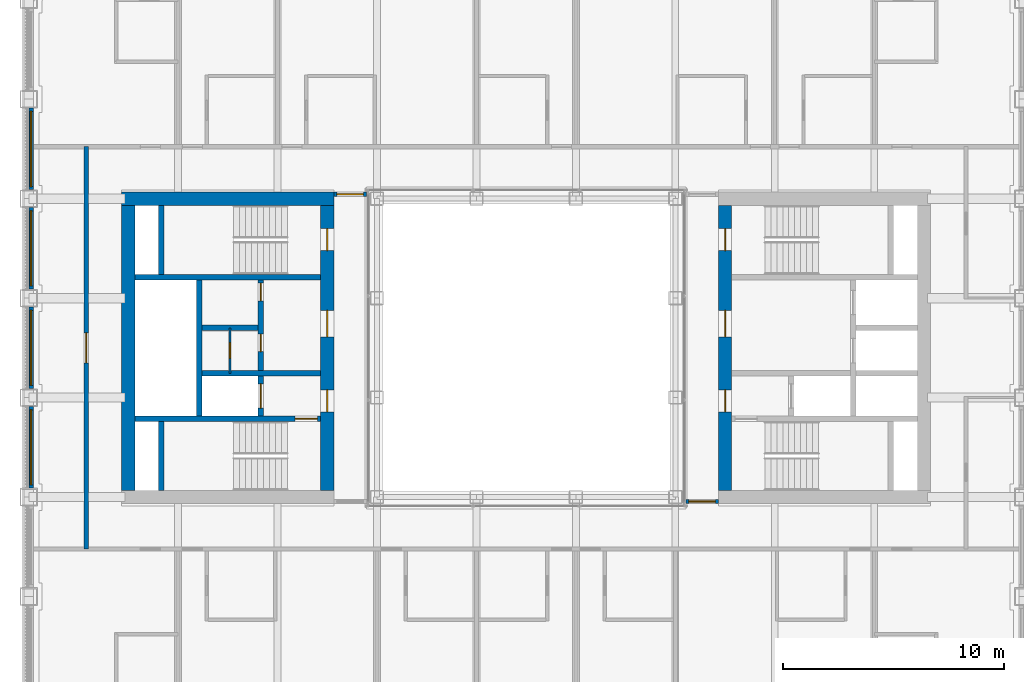
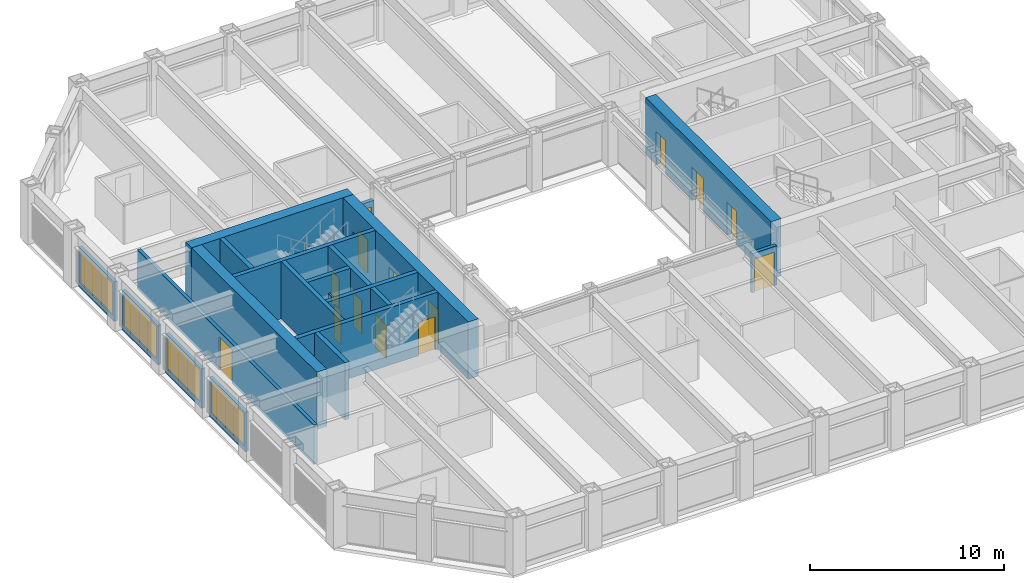
# One storey, part 11 of 17: 20 walls, 14 doors, 4 windows, 18 openings.
"""IFC4 building model written with IfcOpenShell, lengths in metres."""

from ifc_helpers import new_model, si_unit, direction, frame, frame_2d, origin, place, context, subcontext, project, spatial, rectangle, extrude, material, layer, layer_set, type_object, element, fill, save


model = new_model("IFC4")

# Units and contexts
model_context = context("Model", 3, precision=1e-05, world=origin(), true_north=direction((0.0, 1.0)))
body_context = subcontext(model_context, "Body", "Model", "MODEL_VIEW")
ifc_project = project(units=[si_unit("LENGTHUNIT", "METRE"), si_unit("AREAUNIT", "SQUARE_METRE"), si_unit("VOLUMEUNIT", "CUBIC_METRE"), si_unit("PLANEANGLEUNIT", "RADIAN"), si_unit("MASSUNIT", "GRAM", prefix="KILO")], contexts=[model_context])

# Site, building, storey
site_placement = place(None, origin())
site = spatial("IfcSite", under=ifc_project, at=site_placement, CompositionType="ELEMENT")
building_placement = place(site_placement, origin())
building = spatial("IfcBuilding", under=site, at=building_placement, Name="Msasa Ring Tower", CompositionType="ELEMENT")
storey_placement = place(building_placement, frame((0.0, 0.0, 158.0)))
storey = spatial("IfcBuildingStorey", under=building, at=storey_placement, Name="L41", CompositionType="ELEMENT", Elevation=158.0)

# Wall, openings, doors
ifc_material_1 = material(Name="Concrete C60/75", Category="concrete")
ifc_layer_1 = layer(ifc_material_1, 0.60009765625)
ifc_layer_set_1 = layer_set([ifc_layer_1], Name="CW2 CORE WALL 600")
wall_type_1 = type_object("IfcWallType", Name="CW2 CORE WALL 600", PredefinedType="SHEAR", material=ifc_layer_set_1)
wall_1_placement = place(storey_placement, frame((9.0, -6.449951171875, 0.0), z_axis=(0.0, 0.0, 1.0), x_axis=(0.0, 1.0, 0.0)))
wall_1 = element("IfcWall", 1, at=wall_1_placement, inside=storey, type_object=wall_type_1, Name="E core wall W L41", PredefinedType="SHEAR", context=body_context, shape_type="SweptSolid", body=[
    extrude(rectangle(XDim=12.89990234375, YDim=0.60009765625, at=frame_2d((6.449951171875, 0.0))), origin(), (0.0, 0.0, 1.0), 3.60009765625),
])
opening_1_placement = place(wall_1_placement, frame((3.550048828125, 0.0, 0.0)))
opening_1 = element("IfcOpeningElement", 2, at=opening_1_placement, cuts=wall_1, Name="Opening HD-027", PredefinedType="OPENING", context=body_context, shape_type="SweptSolid", body=[
    extrude(rectangle(XDim=1.0, YDim=2.10009765625, at=frame_2d((0.5, 1.050048828125))), frame((0.0, 0.31005859375, 0.0), z_axis=(0.0, -1.0, 0.0), x_axis=(1.0, 0.0, 0.0)), (0.0, 0.0, 1.0), 0.6201171875),
])
opening_2_placement = place(wall_1_placement, frame((6.949951171875, 0.0, 0.0)))
opening_2 = element("IfcOpeningElement", 3, at=opening_2_placement, cuts=wall_1, Name="Opening HD-022", PredefinedType="OPENING", context=body_context, shape_type="SweptSolid", body=[
    extrude(rectangle(XDim=1.199951171875, YDim=2.10009765625, at=frame_2d((0.60009765625, 1.050048828125))), frame((0.0, 0.31005859375, 0.0), z_axis=(0.0, -1.0, 0.0), x_axis=(1.0, 0.0, 0.0)), (0.0, 0.0, 1.0), 0.6201171875),
])
opening_3_placement = place(wall_1_placement, frame((10.85009765625, 0.0, 0.0)))
opening_3 = element("IfcOpeningElement", 4, at=opening_3_placement, cuts=wall_1, Name="Opening HD-019", PredefinedType="OPENING", context=body_context, shape_type="SweptSolid", body=[
    extrude(rectangle(XDim=1.0, YDim=2.10009765625, at=frame_2d((0.5, 1.050048828125))), frame((0.0, 0.31005859375, 0.0), z_axis=(0.0, -1.0, 0.0), x_axis=(1.0, 0.0, 0.0)), (0.0, 0.0, 1.0), 0.6201171875),
])
ifc_material_2 = material(Name="Timber door leaf in a steel frame", Category="steel")
door_type_1 = type_object("IfcDoorType", Name="D4 LOBBY DOOR 1000x2100", OperationType="SINGLE_SWING_LEFT", PredefinedType="DOOR", material=ifc_material_2)
door_1_placement = place(opening_1_placement, origin())
door_1 = element("IfcDoor", 5, at=door_1_placement, inside=storey, type_object=door_type_1, Name="Door L41-EFFL", OperationType="SINGLE_SWING_LEFT", OverallHeight=2.10009765625, OverallWidth=1.0, PredefinedType="DOOR", context=body_context, shape_type="SweptSolid", body=[
    extrude(rectangle(XDim=1.0, YDim=2.10009765625, at=frame_2d((0.5, 1.050048828125))), frame((0.0, 0.02490234375, 0.0), z_axis=(0.0, -1.0, 0.0), x_axis=(1.0, 0.0, 0.0)), (0.0, 0.0, 1.0), 0.050048828125),
])
fill(opening_1, door_1)
ifc_material_3 = material(Name="Timber door leaf in a steel frame", Category="steel")
door_type_2 = type_object("IfcDoorType", Name="D5 WIDE LOBBY DOOR 1200x2100", OperationType="SINGLE_SWING_LEFT", PredefinedType="DOOR", material=ifc_material_3)
door_2_placement = place(opening_2_placement, origin())
door_2 = element("IfcDoor", 6, at=door_2_placement, inside=storey, type_object=door_type_2, Name="Door L41-ELL", OperationType="SINGLE_SWING_RIGHT", OverallHeight=2.10009765625, OverallWidth=1.199951171875, PredefinedType="DOOR", context=body_context, shape_type="SweptSolid", body=[
    extrude(rectangle(XDim=1.199951171875, YDim=2.10009765625, at=frame_2d((0.60009765625, 1.050048828125))), frame((0.0, 0.02490234375, 0.0), z_axis=(0.0, -1.0, 0.0), x_axis=(1.0, 0.0, 0.0)), (0.0, 0.0, 1.0), 0.050048828125),
])
fill(opening_2, door_2)
ifc_material_4 = material(Name="Timber door leaf in a steel frame", Category="steel")
door_type_3 = type_object("IfcDoorType", Name="D6 STAIR DOOR 1000x2100", OperationType="SINGLE_SWING_LEFT", PredefinedType="DOOR", material=ifc_material_4)
door_3_placement = place(opening_3_placement, origin())
door_3 = element("IfcDoor", 7, at=door_3_placement, inside=storey, type_object=door_type_3, Name="Door L41-ESTB", OperationType="SINGLE_SWING_RIGHT", OverallHeight=2.10009765625, OverallWidth=1.0, PredefinedType="DOOR", context=body_context, shape_type="SweptSolid", body=[
    extrude(rectangle(XDim=1.0, YDim=2.10009765625, at=frame_2d((0.5, 1.050048828125))), frame((0.0, 0.02490234375, 0.0), z_axis=(0.0, -1.0, 0.0), x_axis=(1.0, 0.0, 0.0)), (0.0, 0.0, 1.0), 0.050048828125),
])
fill(opening_3, door_3)

# Wall
wall_2_placement = place(storey_placement, frame((-8.699951171875, 6.75, 0.0), z_axis=(0.0, 0.0, 1.0), x_axis=(-1.0, 0.0, 0.0)))
element("IfcWall", 8, at=wall_2_placement, inside=storey, type_object=wall_type_1, Name="W core wall N L41", PredefinedType="SHEAR", context=body_context, shape_type="SweptSolid", body=[
    extrude(rectangle(XDim=9.60009765625, YDim=0.60009765625, at=frame_2d((4.800048828125, 0.0))), origin(), (0.0, 0.0, 1.0), 3.60009765625),
])

# Wall, openings, doors
wall_3_placement = place(storey_placement, frame((-9.0, -6.449951171875, 0.0), z_axis=(0.0, 0.0, 1.0), x_axis=(0.0, 1.0, 0.0)))
wall_3 = element("IfcWall", 9, at=wall_3_placement, inside=storey, type_object=wall_type_1, Name="W core wall W L41", PredefinedType="SHEAR", context=body_context, shape_type="SweptSolid", body=[
    extrude(rectangle(XDim=12.89990234375, YDim=0.60009765625, at=frame_2d((6.449951171875, 0.0))), origin(), (0.0, 0.0, 1.0), 3.60009765625),
])
opening_4_placement = place(wall_3_placement, frame((3.550048828125, 0.0, 0.0)))
opening_4 = element("IfcOpeningElement", 10, at=opening_4_placement, cuts=wall_3, Name="Opening HD-026", PredefinedType="OPENING", context=body_context, shape_type="SweptSolid", body=[
    extrude(rectangle(XDim=1.0, YDim=2.10009765625, at=frame_2d((0.5, 1.050048828125))), frame((0.0, 0.31005859375, 0.0), z_axis=(0.0, -1.0, 0.0), x_axis=(1.0, 0.0, 0.0)), (0.0, 0.0, 1.0), 0.6201171875),
])
opening_5_placement = place(wall_3_placement, frame((6.949951171875, 0.0, 0.0)))
opening_5 = element("IfcOpeningElement", 11, at=opening_5_placement, cuts=wall_3, Name="Opening HD-021", PredefinedType="OPENING", context=body_context, shape_type="SweptSolid", body=[
    extrude(rectangle(XDim=1.199951171875, YDim=2.10009765625, at=frame_2d((0.60009765625, 1.050048828125))), frame((0.0, 0.31005859375, 0.0), z_axis=(0.0, -1.0, 0.0), x_axis=(1.0, 0.0, 0.0)), (0.0, 0.0, 1.0), 0.6201171875),
])
opening_6_placement = place(wall_3_placement, frame((10.85009765625, 0.0, 0.0)))
opening_6 = element("IfcOpeningElement", 12, at=opening_6_placement, cuts=wall_3, Name="Opening HD-018", PredefinedType="OPENING", context=body_context, shape_type="SweptSolid", body=[
    extrude(rectangle(XDim=1.0, YDim=2.10009765625, at=frame_2d((0.5, 1.050048828125))), frame((0.0, 0.31005859375, 0.0), z_axis=(0.0, -1.0, 0.0), x_axis=(1.0, 0.0, 0.0)), (0.0, 0.0, 1.0), 0.6201171875),
])
ifc_material_5 = material(Name="Timber door leaf in a steel frame", Category="steel")
door_type_4 = type_object("IfcDoorType", Name="D26 WIDE SERVICE ROOM DOOR 1200x2100", OperationType="SINGLE_SWING_LEFT", PredefinedType="DOOR", material=ifc_material_5)
door_4_placement = place(opening_5_placement, origin())
door_4 = element("IfcDoor", 13, at=door_4_placement, inside=storey, type_object=door_type_4, Name="Door L41-WCR", OperationType="SINGLE_SWING_RIGHT", OverallHeight=2.10009765625, OverallWidth=1.199951171875, PredefinedType="DOOR", context=body_context, shape_type="SweptSolid", body=[
    extrude(rectangle(XDim=1.199951171875, YDim=2.10009765625, at=frame_2d((0.60009765625, 1.050048828125))), frame((0.0, 0.02490234375, 0.0), z_axis=(0.0, -1.0, 0.0), x_axis=(1.0, 0.0, 0.0)), (0.0, 0.0, 1.0), 0.050048828125),
])
fill(opening_5, door_4)
door_5_placement = place(opening_4_placement, origin())
door_5 = element("IfcDoor", 14, at=door_5_placement, inside=storey, type_object=door_type_1, Name="Door L41-WFFL", OperationType="SINGLE_SWING_LEFT", OverallHeight=2.10009765625, OverallWidth=1.0, PredefinedType="DOOR", context=body_context, shape_type="SweptSolid", body=[
    extrude(rectangle(XDim=1.0, YDim=2.10009765625, at=frame_2d((0.5, 1.050048828125))), frame((0.0, 0.02490234375, 0.0), z_axis=(0.0, -1.0, 0.0), x_axis=(1.0, 0.0, 0.0)), (0.0, 0.0, 1.0), 0.050048828125),
])
fill(opening_4, door_5)
door_6_placement = place(opening_6_placement, origin())
door_6 = element("IfcDoor", 15, at=door_6_placement, inside=storey, type_object=door_type_3, Name="Door L41-WSTB", OperationType="SINGLE_SWING_RIGHT", OverallHeight=2.10009765625, OverallWidth=1.0, PredefinedType="DOOR", context=body_context, shape_type="SweptSolid", body=[
    extrude(rectangle(XDim=1.0, YDim=2.10009765625, at=frame_2d((0.5, 1.050048828125))), frame((0.0, 0.02490234375, 0.0), z_axis=(0.0, -1.0, 0.0), x_axis=(1.0, 0.0, 0.0)), (0.0, 0.0, 1.0), 0.050048828125),
])
fill(opening_6, door_6)

# Wall
wall_4_placement = place(storey_placement, frame((-18.0, -6.449951171875, 0.0), z_axis=(0.0, 0.0, 1.0), x_axis=(0.0, 1.0, 0.0)))
element("IfcWall", 16, at=wall_4_placement, inside=storey, type_object=wall_type_1, Name="W core wall E L41", PredefinedType="SHEAR", context=body_context, shape_type="SweptSolid", body=[
    extrude(rectangle(XDim=12.89990234375, YDim=0.60009765625, at=frame_2d((6.449951171875, 0.0))), origin(), (0.0, 0.0, 1.0), 3.60009765625),
])

# Wall, opening, door
ifc_material_6 = material(Name="Concrete C60/75", Category="concrete")
ifc_layer_2 = layer(ifc_material_6, 0.25)
ifc_layer_set_2 = layer_set([ifc_layer_2], Name="CW4 CORE INNER WALL 250")
wall_type_2 = type_object("IfcWallType", Name="CW4 CORE INNER WALL 250", PredefinedType="SHEAR", material=ifc_layer_set_2)
wall_5_placement = place(storey_placement, frame((-9.300048828125, -3.199951171875, 0.0), z_axis=(0.0, 0.0, 1.0), x_axis=(-1.0, 0.0, 0.0)))
wall_5 = element("IfcWall", 17, at=wall_5_placement, inside=storey, type_object=wall_type_2, Name="W core wall STAIRA L41", PredefinedType="SHEAR", context=body_context, shape_type="SweptSolid", body=[
    extrude(rectangle(XDim=8.39990234375, YDim=0.25, at=frame_2d((4.199951171875, 0.0))), origin(), (0.0, 0.0, 1.0), 3.60009765625),
])
opening_7_placement = place(wall_5_placement, frame((0.14990234375, 0.0, 0.0)))
opening_7 = element("IfcOpeningElement", 18, at=opening_7_placement, cuts=wall_5, Name="Opening HD-028", PredefinedType="OPENING", context=body_context, shape_type="SweptSolid", body=[
    extrude(rectangle(XDim=1.0, YDim=2.10009765625, at=frame_2d((0.5, 1.050048828125))), frame((0.0, 0.135009765625, 0.0), z_axis=(0.0, -1.0, 0.0), x_axis=(1.0, 0.0, 0.0)), (0.0, 0.0, 1.0), 0.27001953125),
])
door_7_placement = place(opening_7_placement, origin())
door_7 = element("IfcDoor", 19, at=door_7_placement, inside=storey, type_object=door_type_3, Name="Door L41-WSTA", OperationType="SINGLE_SWING_LEFT", OverallHeight=2.10009765625, OverallWidth=1.0, PredefinedType="DOOR", context=body_context, shape_type="SweptSolid", body=[
    extrude(rectangle(XDim=1.0, YDim=2.10009765625, at=frame_2d((0.5, 1.050048828125))), frame((0.0, 0.02490234375, 0.0), z_axis=(0.0, -1.0, 0.0), x_axis=(1.0, 0.0, 0.0)), (0.0, 0.0, 1.0), 0.050048828125),
])
fill(opening_7, door_7)

# Walls
wall_6_placement = place(storey_placement, frame((-9.300048828125, 3.199951171875, 0.0), z_axis=(0.0, 0.0, 1.0), x_axis=(-1.0, 0.0, 0.0)))
element("IfcWall", 20, at=wall_6_placement, inside=storey, type_object=wall_type_2, Name="W core wall STAIRB L41", PredefinedType="SHEAR", context=body_context, shape_type="SweptSolid", body=[
    extrude(rectangle(XDim=8.39990234375, YDim=0.25, at=frame_2d((4.199951171875, 0.0))), origin(), (0.0, 0.0, 1.0), 3.60009765625),
])
for number, where, z_axis, x_axis, name in (
    (21, (-16.5, -6.449951171875, 0.0), (0.0, 0.0, 1.0), (0.0, 1.0, 0.0), "W core wall RISERA L41"),
    (22, (-16.5, 3.324951171875, 0.0), (0.0, 0.0, 1.0), (0.0, 1.0, 0.0), "W core wall RISERB L41"),
):
    element("IfcWall", number, at=place(storey_placement, frame(where, z_axis=z_axis, x_axis=x_axis)), inside=storey, type_object=wall_type_2, Name=name, PredefinedType="SHEAR", context=body_context, shape_type="SweptSolid", body=[
        extrude(rectangle(XDim=3.125, YDim=0.25, at=frame_2d((1.5625, 0.0))), origin(), (0.0, 0.0, 1.0), 3.60009765625),
    ])
wall_7_placement = place(storey_placement, frame((-9.300048828125, -1.14990234375, 0.0), z_axis=(0.0, 0.0, 1.0), x_axis=(-1.0, 0.0, 0.0)))
element("IfcWall", 23, at=wall_7_placement, inside=storey, type_object=wall_type_2, Name="W core wall FFL L41", PredefinedType="SHEAR", context=body_context, shape_type="SweptSolid", body=[
    extrude(rectangle(XDim=5.375, YDim=0.25, at=frame_2d((2.6875, 0.0))), origin(), (0.0, 0.0, 1.0), 3.60009765625),
])

# Wall, openings, doors
wall_8_placement = place(storey_placement, frame((-12.0, -3.074951171875, 0.0), z_axis=(0.0, 0.0, 1.0), x_axis=(0.0, 1.0, 0.0)))
wall_8 = element("IfcWall", 24, at=wall_8_placement, inside=storey, type_object=wall_type_2, Name="W core wall LOBBY L41", PredefinedType="SHEAR", context=body_context, shape_type="SweptSolid", body=[
    extrude(rectangle(XDim=6.14990234375, YDim=0.25, at=frame_2d((3.074951171875, 0.0))), origin(), (0.0, 0.0, 1.0), 3.60009765625),
])
opening_8_placement = place(wall_8_placement, frame((2.89990234375, 0.0, 0.0)))
opening_8 = element("IfcOpeningElement", 25, at=opening_8_placement, cuts=wall_8, Name="Opening HD-023", PredefinedType="OPENING", context=body_context, shape_type="SweptSolid", body=[
    extrude(rectangle(XDim=0.800048828125, YDim=2.10009765625, at=frame_2d((0.39990234375, 1.050048828125))), frame((0.0, 0.135009765625, 0.0), z_axis=(0.0, -1.0, 0.0), x_axis=(1.0, 0.0, 0.0)), (0.0, 0.0, 1.0), 0.27001953125),
])
opening_9_placement = place(wall_8_placement, frame((5.199951171875, 0.0, 0.0)))
opening_9 = element("IfcOpeningElement", 26, at=opening_9_placement, cuts=wall_8, Name="Opening HD-020", PredefinedType="OPENING", context=body_context, shape_type="SweptSolid", body=[
    extrude(rectangle(XDim=0.800048828125, YDim=2.10009765625, at=frame_2d((0.39990234375, 1.050048828125))), frame((0.0, 0.135009765625, 0.0), z_axis=(0.0, -1.0, 0.0), x_axis=(1.0, 0.0, 0.0)), (0.0, 0.0, 1.0), 0.27001953125),
])
opening_10_placement = place(wall_8_placement, frame((0.35009765625, 0.0, 0.0)))
opening_10 = element("IfcOpeningElement", 27, at=opening_10_placement, cuts=wall_8, Name="Opening LD1", PredefinedType="OPENING", context=body_context, shape_type="SweptSolid", body=[
    extrude(rectangle(XDim=1.10009765625, YDim=2.10009765625, at=frame_2d((0.550048828125, 1.050048828125))), frame((0.0, 0.135009765625, 0.0), z_axis=(0.0, -1.0, 0.0), x_axis=(1.0, 0.0, 0.0)), (0.0, 0.0, 1.0), 0.27001953125),
])
ifc_material_7 = material(Name="Timber door leaf in a steel frame", Category="steel")
door_type_5 = type_object("IfcDoorType", Name="D9 NARROW SERVICE DOOR 800x2100", OperationType="SINGLE_SWING_LEFT", PredefinedType="DOOR", material=ifc_material_7)
door_8_placement = place(opening_8_placement, origin())
door_8 = element("IfcDoor", 28, at=door_8_placement, inside=storey, type_object=door_type_5, Name="Door L41-WR1", OperationType="SINGLE_SWING_RIGHT", OverallHeight=2.10009765625, OverallWidth=0.800048828125, PredefinedType="DOOR", context=body_context, shape_type="SweptSolid", body=[
    extrude(rectangle(XDim=0.800048828125, YDim=2.10009765625, at=frame_2d((0.39990234375, 1.050048828125))), frame((0.0, 0.02490234375, 0.0), z_axis=(0.0, -1.0, 0.0), x_axis=(1.0, 0.0, 0.0)), (0.0, 0.0, 1.0), 0.050048828125),
])
fill(opening_8, door_8)
door_9_placement = place(opening_9_placement, origin())
door_9 = element("IfcDoor", 29, at=door_9_placement, inside=storey, type_object=door_type_5, Name="Door L41-WR2", OperationType="SINGLE_SWING_RIGHT", OverallHeight=2.10009765625, OverallWidth=0.800048828125, PredefinedType="DOOR", context=body_context, shape_type="SweptSolid", body=[
    extrude(rectangle(XDim=0.800048828125, YDim=2.10009765625, at=frame_2d((0.39990234375, 1.050048828125))), frame((0.0, 0.02490234375, 0.0), z_axis=(0.0, -1.0, 0.0), x_axis=(1.0, 0.0, 0.0)), (0.0, 0.0, 1.0), 0.050048828125),
])
fill(opening_9, door_9)
ifc_material_8 = material(Name="Stainless steel lift landing door", Category="steel")
door_type_6 = type_object("IfcDoorType", Name="LD1 LIFT LANDING DOOR 1100x2100", OperationType="DOUBLE_DOOR_SLIDING", PredefinedType="DOOR", material=ifc_material_8)
door_10_placement = place(opening_10_placement, origin())
door_10 = element("IfcDoor", 30, at=door_10_placement, inside=storey, type_object=door_type_6, Name="Lift landing door FL-W L41", OperationType="DOUBLE_DOOR_SLIDING", OverallHeight=2.10009765625, OverallWidth=1.10009765625, PredefinedType="DOOR", context=body_context, shape_type="SweptSolid", body=[
    extrude(rectangle(XDim=1.10009765625, YDim=2.10009765625, at=frame_2d((0.550048828125, 1.050048828125))), frame((0.0, 0.02490234375, 0.0), z_axis=(0.0, -1.0, 0.0), x_axis=(1.0, 0.0, 0.0)), (0.0, 0.0, 1.0), 0.050048828125),
])
fill(opening_10, door_10)

# Walls
wall_9_placement = place(storey_placement, frame((-14.800048828125, -3.074951171875, 0.0), z_axis=(0.0, 0.0, 1.0), x_axis=(0.0, 1.0, 0.0)))
element("IfcWall", 31, at=wall_9_placement, inside=storey, type_object=wall_type_2, Name="W core wall SHAFT L41", PredefinedType="SHEAR", context=body_context, shape_type="SweptSolid", body=[
    extrude(rectangle(XDim=6.14990234375, YDim=0.25, at=frame_2d((3.074951171875, 0.0))), origin(), (0.0, 0.0, 1.0), 3.60009765625),
])
wall_10_placement = place(storey_placement, frame((-12.125, 0.89990234375, 0.0), z_axis=(0.0, 0.0, 1.0), x_axis=(-1.0, 0.0, 0.0)))
element("IfcWall", 32, at=wall_10_placement, inside=storey, type_object=wall_type_2, Name="W core wall LIFT1 L41", PredefinedType="SHEAR", context=body_context, shape_type="SweptSolid", body=[
    extrude(rectangle(XDim=2.550048828125, YDim=0.25, at=frame_2d((1.27490234375, 0.0))), origin(), (0.0, 0.0, 1.0), 3.60009765625),
])

# Wall, opening, window
ifc_material_9 = material(Name="Terracotta rainscreen on blockwork", Category="masonry")
ifc_layer_3 = layer(ifc_material_9, 0.199951171875)
ifc_layer_set_3 = layer_set([ifc_layer_3], Name="FW1 TERRACOTTA-LINED INFILL BAY WALL 200")
wall_type_3 = type_object("IfcWallType", Name="FW1 TERRACOTTA-LINED INFILL BAY WALL 200", PredefinedType="SOLIDWALL", material=ifc_layer_set_3)
wall_11_placement = place(storey_placement, frame((-22.39990234375, -6.344970703125, 0.0), z_axis=(0.0, 0.0, 1.0), x_axis=(0.0, 1.0, 0.0)))
wall_11 = element("IfcWall", 33, at=wall_11_placement, inside=storey, type_object=wall_type_3, Name="Infill bay wall W L41 29", PredefinedType="SOLIDWALL", context=body_context, shape_type="SweptSolid", body=[
    extrude(rectangle(XDim=3.68994140625, YDim=0.199951171875, at=frame_2d((1.844970703125, 0.0))), origin(), (0.0, 0.0, 1.0), 2.47900390625),
])
opening_11_placement = place(wall_11_placement, frame((0.14501953125, 0.0, 0.300048828125)))
opening_11 = element("IfcOpeningElement", 34, at=opening_11_placement, cuts=wall_11, Name="Opening WN2", PredefinedType="OPENING", context=body_context, shape_type="SweptSolid", body=[
    extrude(rectangle(XDim=3.39990234375, YDim=2.029052734375, at=frame_2d((1.699951171875, 1.0146484375))), frame((0.0, 0.10986328125, 0.0), z_axis=(0.0, -1.0, 0.0), x_axis=(1.0, 0.0, 0.0)), (0.0, 0.0, 1.0), 0.219970703125),
])
ifc_material_10 = material(Name="Aluminium frame with clear glass", Category="aluminium")
window_type = type_object("IfcWindowType", Name="WN2 GUEST ROOM WINDOW 3400x2029", PartitioningType="SINGLE_PANEL", PredefinedType="WINDOW", material=ifc_material_10)
window_1_placement = place(opening_11_placement, origin())
window_1 = element("IfcWindow", 35, at=window_1_placement, inside=storey, type_object=window_type, Name="Window W L41 29", OverallHeight=2.029052734375, OverallWidth=3.39990234375, PartitioningType="SINGLE_PANEL", PredefinedType="WINDOW", context=body_context, shape_type="SweptSolid", body=[
    extrude(rectangle(XDim=3.39990234375, YDim=2.029052734375, at=frame_2d((1.699951171875, 1.0146484375))), frame((0.0, 0.030029296875, 0.0), z_axis=(0.0, -1.0, 0.0), x_axis=(1.0, 0.0, 0.0)), (0.0, 0.0, 1.0), 0.06005859375),
])
fill(opening_11, window_1)

wall_12_placement = place(storey_placement, frame((-22.39990234375, -1.844970703125, 0.0), z_axis=(0.0, 0.0, 1.0), x_axis=(0.0, 1.0, 0.0)))
wall_12 = element("IfcWall", 36, at=wall_12_placement, inside=storey, type_object=wall_type_3, Name="Infill bay wall W L41 30", PredefinedType="SOLIDWALL", context=body_context, shape_type="SweptSolid", body=[
    extrude(rectangle(XDim=3.68994140625, YDim=0.199951171875, at=frame_2d((1.844970703125, 0.0))), origin(), (0.0, 0.0, 1.0), 2.47900390625),
])
opening_12_placement = place(wall_12_placement, frame((0.14501953125, 0.0, 0.300048828125)))
opening_12 = element("IfcOpeningElement", 37, at=opening_12_placement, cuts=wall_12, Name="Opening WN2", PredefinedType="OPENING", context=body_context, shape_type="SweptSolid", body=[
    extrude(rectangle(XDim=3.39990234375, YDim=2.029052734375, at=frame_2d((1.699951171875, 1.0146484375))), frame((0.0, 0.10986328125, 0.0), z_axis=(0.0, -1.0, 0.0), x_axis=(1.0, 0.0, 0.0)), (0.0, 0.0, 1.0), 0.219970703125),
])
window_2_placement = place(opening_12_placement, origin())
window_2 = element("IfcWindow", 38, at=window_2_placement, inside=storey, type_object=window_type, Name="Window W L41 30", OverallHeight=2.029052734375, OverallWidth=3.39990234375, PartitioningType="SINGLE_PANEL", PredefinedType="WINDOW", context=body_context, shape_type="SweptSolid", body=[
    extrude(rectangle(XDim=3.39990234375, YDim=2.029052734375, at=frame_2d((1.699951171875, 1.0146484375))), frame((0.0, 0.030029296875, 0.0), z_axis=(0.0, -1.0, 0.0), x_axis=(1.0, 0.0, 0.0)), (0.0, 0.0, 1.0), 0.06005859375),
])
fill(opening_12, window_2)

wall_13_placement = place(storey_placement, frame((-22.39990234375, 2.655029296875, 0.0), z_axis=(0.0, 0.0, 1.0), x_axis=(0.0, 1.0, 0.0)))
wall_13 = element("IfcWall", 39, at=wall_13_placement, inside=storey, type_object=wall_type_3, Name="Infill bay wall W L41 31", PredefinedType="SOLIDWALL", context=body_context, shape_type="SweptSolid", body=[
    extrude(rectangle(XDim=3.68994140625, YDim=0.199951171875, at=frame_2d((1.844970703125, 0.0))), origin(), (0.0, 0.0, 1.0), 2.47900390625),
])
opening_13_placement = place(wall_13_placement, frame((0.14501953125, 0.0, 0.300048828125)))
opening_13 = element("IfcOpeningElement", 40, at=opening_13_placement, cuts=wall_13, Name="Opening WN2", PredefinedType="OPENING", context=body_context, shape_type="SweptSolid", body=[
    extrude(rectangle(XDim=3.39990234375, YDim=2.029052734375, at=frame_2d((1.699951171875, 1.0146484375))), frame((0.0, 0.10986328125, 0.0), z_axis=(0.0, -1.0, 0.0), x_axis=(1.0, 0.0, 0.0)), (0.0, 0.0, 1.0), 0.219970703125),
])
window_3_placement = place(opening_13_placement, origin())
window_3 = element("IfcWindow", 41, at=window_3_placement, inside=storey, type_object=window_type, Name="Window W L41 31", OverallHeight=2.029052734375, OverallWidth=3.39990234375, PartitioningType="SINGLE_PANEL", PredefinedType="WINDOW", context=body_context, shape_type="SweptSolid", body=[
    extrude(rectangle(XDim=3.39990234375, YDim=2.029052734375, at=frame_2d((1.699951171875, 1.0146484375))), frame((0.0, 0.030029296875, 0.0), z_axis=(0.0, -1.0, 0.0), x_axis=(1.0, 0.0, 0.0)), (0.0, 0.0, 1.0), 0.06005859375),
])
fill(opening_13, window_3)

wall_14_placement = place(storey_placement, frame((-22.39990234375, 7.155029296875, 0.0), z_axis=(0.0, 0.0, 1.0), x_axis=(0.0, 1.0, 0.0)))
wall_14 = element("IfcWall", 42, at=wall_14_placement, inside=storey, type_object=wall_type_3, Name="Infill bay wall W L41 32", PredefinedType="SOLIDWALL", context=body_context, shape_type="SweptSolid", body=[
    extrude(rectangle(XDim=3.68994140625, YDim=0.199951171875, at=frame_2d((1.844970703125, 0.0))), origin(), (0.0, 0.0, 1.0), 2.47900390625),
])
opening_14_placement = place(wall_14_placement, frame((0.14501953125, 0.0, 0.300048828125)))
opening_14 = element("IfcOpeningElement", 43, at=opening_14_placement, cuts=wall_14, Name="Opening WN2", PredefinedType="OPENING", context=body_context, shape_type="SweptSolid", body=[
    extrude(rectangle(XDim=3.39990234375, YDim=2.029052734375, at=frame_2d((1.699951171875, 1.0146484375))), frame((0.0, 0.10986328125, 0.0), z_axis=(0.0, -1.0, 0.0), x_axis=(1.0, 0.0, 0.0)), (0.0, 0.0, 1.0), 0.219970703125),
])
window_4_placement = place(opening_14_placement, origin())
window_4 = element("IfcWindow", 44, at=window_4_placement, inside=storey, type_object=window_type, Name="Window W L41 32", OverallHeight=2.029052734375, OverallWidth=3.39990234375, PartitioningType="SINGLE_PANEL", PredefinedType="WINDOW", context=body_context, shape_type="SweptSolid", body=[
    extrude(rectangle(XDim=3.39990234375, YDim=2.029052734375, at=frame_2d((1.699951171875, 1.0146484375))), frame((0.0, 0.030029296875, 0.0), z_axis=(0.0, -1.0, 0.0), x_axis=(1.0, 0.0, 0.0)), (0.0, 0.0, 1.0), 0.06005859375),
])
fill(opening_14, window_4)

# Wall, opening, door
ifc_material_11 = material(Name="Concrete blockwork", Category="masonry")
ifc_layer_4 = layer(ifc_material_11, 0.199951171875)
ifc_layer_set_4 = layer_set([ifc_layer_4], Name="PT1 CORRIDOR WALL 200")
wall_type_4 = type_object("IfcWallType", Name="PT1 CORRIDOR WALL 200", PredefinedType="PARTITIONING", material=ifc_layer_set_4)
wall_15_placement = place(storey_placement, frame((7.22998046875, -6.949951171875, 0.0), z_axis=(0.0, 0.0, 1.0), x_axis=(1.0, 0.0, 0.0)))
wall_15 = element("IfcWall", 45, at=wall_15_placement, inside=storey, type_object=wall_type_4, Name="Corridor wall L41-SDES", PredefinedType="PARTITIONING", context=body_context, shape_type="SweptSolid", body=[
    extrude(rectangle(XDim=1.469970703125, YDim=0.199951171875, at=frame_2d((0.73486328125, 0.0))), origin(), (0.0, 0.0, 1.0), 2.473388671875),
])
opening_15_placement = place(wall_15_placement, frame((0.135009765625, 0.0, 0.0)))
opening_15 = element("IfcOpeningElement", 46, at=opening_15_placement, cuts=wall_15, Name="Opening HD-032", PredefinedType="OPENING", context=body_context, shape_type="SweptSolid", body=[
    extrude(rectangle(XDim=1.199951171875, YDim=2.10009765625, at=frame_2d((0.60009765625, 1.050048828125))), frame((0.0, 0.10986328125, 0.0), z_axis=(0.0, -1.0, 0.0), x_axis=(1.0, 0.0, 0.0)), (0.0, 0.0, 1.0), 0.219970703125),
])
ifc_material_12 = material(Name="Timber door leaf in a steel frame", Category="steel")
door_type_7 = type_object("IfcDoorType", Name="D25 CORRIDOR PAIR OF SMOKE DOORS 1200x2100", OperationType="DOUBLE_DOOR_DOUBLE_SWING", PredefinedType="DOOR", material=ifc_material_12)
door_11_placement = place(opening_15_placement, origin())
door_11 = element("IfcDoor", 47, at=door_11_placement, inside=storey, type_object=door_type_7, Name="Door L41-SDES", OperationType="DOUBLE_DOOR_DOUBLE_SWING", OverallHeight=2.10009765625, OverallWidth=1.199951171875, PredefinedType="DOOR", context=body_context, shape_type="SweptSolid", body=[
    extrude(rectangle(XDim=1.199951171875, YDim=2.10009765625, at=frame_2d((0.60009765625, 1.050048828125))), frame((0.0, 0.02490234375, 0.0), z_axis=(0.0, -1.0, 0.0), x_axis=(1.0, 0.0, 0.0)), (0.0, 0.0, 1.0), 0.050048828125),
])
fill(opening_15, door_11)

wall_16_placement = place(storey_placement, frame((-8.699951171875, 6.949951171875, 0.0), z_axis=(0.0, 0.0, 1.0), x_axis=(1.0, 0.0, 0.0)))
wall_16 = element("IfcWall", 48, at=wall_16_placement, inside=storey, type_object=wall_type_4, Name="Corridor wall L41-SDWN", PredefinedType="PARTITIONING", context=body_context, shape_type="SweptSolid", body=[
    extrude(rectangle(XDim=1.469970703125, YDim=0.199951171875, at=frame_2d((0.73486328125, 0.0))), origin(), (0.0, 0.0, 1.0), 2.473388671875),
])
opening_16_placement = place(wall_16_placement, frame((0.135009765625, 0.0, 0.0)))
opening_16 = element("IfcOpeningElement", 49, at=opening_16_placement, cuts=wall_16, Name="Opening HD-015", PredefinedType="OPENING", context=body_context, shape_type="SweptSolid", body=[
    extrude(rectangle(XDim=1.199951171875, YDim=2.10009765625, at=frame_2d((0.60009765625, 1.050048828125))), frame((0.0, 0.10986328125, 0.0), z_axis=(0.0, -1.0, 0.0), x_axis=(1.0, 0.0, 0.0)), (0.0, 0.0, 1.0), 0.219970703125),
])
door_12_placement = place(opening_16_placement, origin())
door_12 = element("IfcDoor", 50, at=door_12_placement, inside=storey, type_object=door_type_7, Name="Door L41-SDWN", OperationType="DOUBLE_DOOR_DOUBLE_SWING", OverallHeight=2.10009765625, OverallWidth=1.199951171875, PredefinedType="DOOR", context=body_context, shape_type="SweptSolid", body=[
    extrude(rectangle(XDim=1.199951171875, YDim=2.10009765625, at=frame_2d((0.60009765625, 1.050048828125))), frame((0.0, 0.02490234375, 0.0), z_axis=(0.0, -1.0, 0.0), x_axis=(1.0, 0.0, 0.0)), (0.0, 0.0, 1.0), 0.050048828125),
])
fill(opening_16, door_12)

wall_17_placement = place(storey_placement, frame((-19.89990234375, -9.10009765625, 0.0), z_axis=(0.0, 0.0, 1.0), x_axis=(0.0, 1.0, 0.0)))
wall_17 = element("IfcWall", 51, at=wall_17_placement, inside=storey, type_object=wall_type_4, Name="Corridor wall L41-STRW", PredefinedType="PARTITIONING", context=body_context, shape_type="SweptSolid", body=[
    extrude(rectangle(XDim=18.2001953125, YDim=0.199951171875, at=frame_2d((9.10009765625, 0.0))), origin(), (0.0, 0.0, 1.0), 2.473388671875),
])
opening_17_placement = place(wall_17_placement, frame((8.425048828125, 0.0, 0.0)))
opening_17 = element("IfcOpeningElement", 52, at=opening_17_placement, cuts=wall_17, Name="Opening HD-024", PredefinedType="OPENING", context=body_context, shape_type="SweptSolid", body=[
    extrude(rectangle(XDim=1.35009765625, YDim=2.10009765625, at=frame_2d((0.675048828125, 1.050048828125))), frame((0.0, 0.10986328125, 0.0), z_axis=(0.0, -1.0, 0.0), x_axis=(1.0, 0.0, 0.0)), (0.0, 0.0, 1.0), 0.219970703125),
])
ifc_material_13 = material(Name="Timber door leaf in a steel frame", Category="steel")
door_type_8 = type_object("IfcDoorType", Name="D23 HOUSEKEEPING UNEQUAL PAIR OF DOORS 1350x2100", OperationType="SINGLE_SWING_LEFT", PredefinedType="DOOR", material=ifc_material_13)
door_13_placement = place(opening_17_placement, origin())
door_13 = element("IfcDoor", 53, at=door_13_placement, inside=storey, type_object=door_type_8, Name="Door L41-HKW", OperationType="SINGLE_SWING_LEFT", OverallHeight=2.10009765625, OverallWidth=1.35009765625, PredefinedType="DOOR", context=body_context, shape_type="SweptSolid", body=[
    extrude(rectangle(XDim=1.35009765625, YDim=2.10009765625, at=frame_2d((0.675048828125, 1.050048828125))), frame((0.0, 0.02490234375, 0.0), z_axis=(0.0, -1.0, 0.0), x_axis=(1.0, 0.0, 0.0)), (0.0, 0.0, 1.0), 0.050048828125),
])
fill(opening_17, door_13)

ifc_material_14 = material(Name="Gypsum board on steel studs", Category="steel")
ifc_layer_5 = layer(ifc_material_14, 0.10009765625)
ifc_layer_set_5 = layer_set([ifc_layer_5], Name="PT2 STUD PARTITION 100")
wall_type_5 = type_object("IfcWallType", Name="PT2 STUD PARTITION 100", PredefinedType="PARTITIONING", material=ifc_layer_set_5)
wall_18_placement = place(storey_placement, frame((-13.39990234375, -1.14990234375, 0.0), z_axis=(0.0, 0.0, 1.0), x_axis=(0.0, 1.0, 0.0)))
wall_18 = element("IfcWall", 54, at=wall_18_placement, inside=storey, type_object=wall_type_5, Name="Partition L41-WRP1", PredefinedType="PARTITIONING", context=body_context, shape_type="SweptSolid", body=[
    extrude(rectangle(XDim=2.0498046875, YDim=0.10009765625, at=frame_2d((1.02490234375, 0.0))), origin(), (0.0, 0.0, 1.0), 2.473388671875),
])
opening_18_placement = place(wall_18_placement, frame((0.675048828125, 0.0, 0.0)))
opening_18 = element("IfcOpeningElement", 55, at=opening_18_placement, cuts=wall_18, Name="Opening HD-025", PredefinedType="OPENING", context=body_context, shape_type="SweptSolid", body=[
    extrude(rectangle(XDim=0.699951171875, YDim=2.10009765625, at=frame_2d((0.35009765625, 1.050048828125))), frame((0.0, 0.06005859375, 0.0), z_axis=(0.0, -1.0, 0.0), x_axis=(1.0, 0.0, 0.0)), (0.0, 0.0, 1.0), 0.1201171875),
])
ifc_material_15 = material(Name="Timber door leaf in a steel frame", Category="steel")
door_type_9 = type_object("IfcDoorType", Name="D32 INTERNAL NARROW STORE DOOR 700x2100", OperationType="SINGLE_SWING_LEFT", PredefinedType="DOOR", material=ifc_material_15)
door_14_placement = place(opening_18_placement, origin())
door_14 = element("IfcDoor", 56, at=door_14_placement, inside=storey, type_object=door_type_9, Name="Door L41-WRC1", OperationType="SINGLE_SWING_LEFT", OverallHeight=2.10009765625, OverallWidth=0.699951171875, PredefinedType="DOOR", context=body_context, shape_type="SweptSolid", body=[
    extrude(rectangle(XDim=0.699951171875, YDim=2.10009765625, at=frame_2d((0.35009765625, 1.050048828125))), frame((0.0, 0.02490234375, 0.0), z_axis=(0.0, -1.0, 0.0), x_axis=(1.0, 0.0, 0.0)), (0.0, 0.0, 1.0), 0.050048828125),
])
fill(opening_18, door_14)

save(model, "model.ifc")
